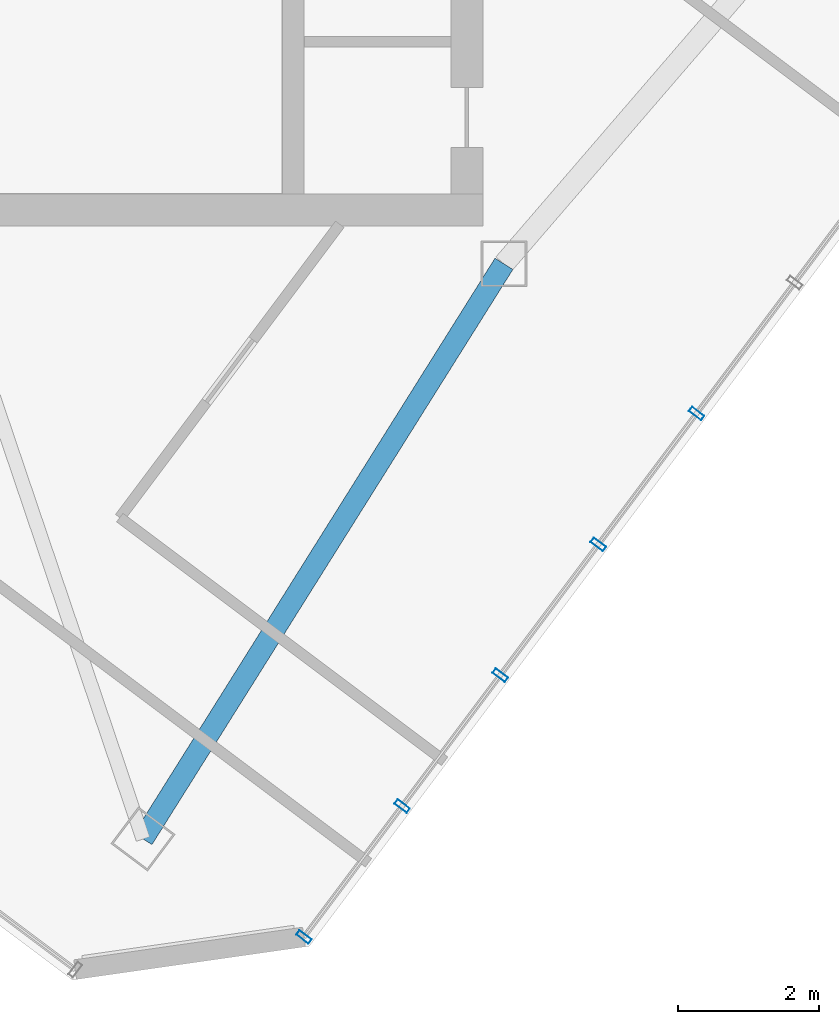
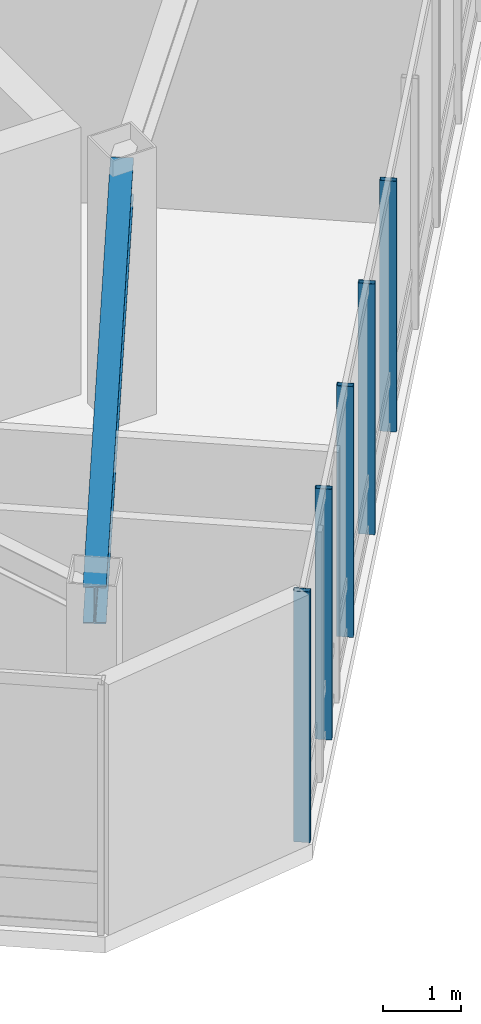
# One storey, part 9 of 22: 5 members, 1 beam, 1 element without a shape of its own.
"""IFC4 building model written with IfcOpenShell, lengths in metres."""

from ifc_helpers import new_model, si_unit, direction, frame, origin, origin_2d, place, context, subcontext, project, spatial, hollow_rectangle, i_section, extrude, material, layer, layer_set, material_profile, profile_set, type_object, element, aggregate, save


model = new_model("IFC4")

# Units and contexts
model_context = context("Model", 3, precision=1e-05, world=origin(), true_north=direction((0.0, 1.0)))
body_context = subcontext(model_context, "Body", "Model", "MODEL_VIEW")
ifc_project = project(units=[si_unit("LENGTHUNIT", "METRE"), si_unit("AREAUNIT", "SQUARE_METRE"), si_unit("VOLUMEUNIT", "CUBIC_METRE"), si_unit("PLANEANGLEUNIT", "RADIAN"), si_unit("MASSUNIT", "GRAM", prefix="KILO")], contexts=[model_context])

# Site, building, storey
site_placement = place(None, origin())
site = spatial("IfcSite", under=ifc_project, at=site_placement, CompositionType="ELEMENT")
building_placement = place(site_placement, origin())
building = spatial("IfcBuilding", under=site, at=building_placement, Name="Hatsunagi Terrace Concourse", CompositionType="ELEMENT")
storey_placement = place(building_placement, frame((0.0, 0.0, 261.75)))
storey = spatial("IfcBuildingStorey", under=building, at=storey_placement, Name="L69", CompositionType="ELEMENT", Elevation=261.75)

# Curtain wall, members
ifc_material_1 = material(Name="Anodised Aluminium Alloy 6063-T5", Category="aluminium")
ifc_layer = layer(ifc_material_1, 0.199951171875)
ifc_layer_set = layer_set([ifc_layer], Name="SkyLobbyAtrium_CW05")
curtain_wall_type = type_object("IfcCurtainWallType", Name="SkyLobbyAtrium_CW05", PredefinedType="NOTDEFINED", material=ifc_layer_set)
curtain_wall_placement = place(storey_placement, origin())
curtain_wall = element("IfcCurtainWall", 1, at=curtain_wall_placement, inside=storey, type_object=curtain_wall_type, Name="Unitised Curtain Wall CW-05 CW-L69-08", PredefinedType="NOTDEFINED")
ifc_material_2 = material(Name="Anodised Aluminium Alloy 6063-T5", Category="aluminium")
ifc_material_profile_1 = material_profile(ifc_material_2, hollow_rectangle(XDim=0.080078125, YDim=0.219970703125, WallThickness=0.0048828125, at=origin_2d()), Name="ALU-MUL-220x80x5")
ifc_profile_set_1 = profile_set([ifc_material_profile_1], Name="Anodised Aluminium Alloy 6063-T5")
member_type = type_object("IfcMemberType", Name="CurtainWallMullion_Heavy_220x80", PredefinedType="MULLION", material=ifc_profile_set_1)
member_1_placement = place(storey_placement, frame((46.531982421875, 22.075927734375, 0.0), z_axis=(0.0, 0.0, 1.0), x_axis=(-0.599969314634, -0.800023013105, 0.0)))
member_1 = element("IfcMember", 2, at=member_1_placement, type_object=member_type, Name="Curtain Wall Mullion MUL-01", PredefinedType="MULLION", context=body_context, shape_type="SweptSolid", body=[
    extrude(hollow_rectangle(XDim=0.080078125, YDim=0.219970703125, WallThickness=0.0048828125, at=origin_2d()), origin(), (0.0, 0.0, 1.0), 3.93994140625),
])
member_2_placement = place(storey_placement, frame((45.139892578125, 20.218994140625, 0.0), z_axis=(0.0, 0.0, 1.0), x_axis=(-0.599969314634, -0.800023013105, 0.0)))
member_2 = element("IfcMember", 3, at=member_2_placement, type_object=member_type, Name="Curtain Wall Mullion MUL-01", PredefinedType="MULLION", context=body_context, shape_type="SweptSolid", body=[
    extrude(hollow_rectangle(XDim=0.080078125, YDim=0.219970703125, WallThickness=0.0048828125, at=origin_2d()), origin(), (0.0, 0.0, 1.0), 3.93994140625),
])
member_3_placement = place(storey_placement, frame((43.7470703125, 18.363037109375, 0.0), z_axis=(0.0, 0.0, 1.0), x_axis=(-0.599969314634, -0.800023013105, 0.0)))
member_3 = element("IfcMember", 4, at=member_3_placement, type_object=member_type, Name="Curtain Wall Mullion MUL-01", PredefinedType="MULLION", context=body_context, shape_type="SweptSolid", body=[
    extrude(hollow_rectangle(XDim=0.080078125, YDim=0.219970703125, WallThickness=0.0048828125, at=origin_2d()), origin(), (0.0, 0.0, 1.0), 3.93994140625),
])
member_4_placement = place(storey_placement, frame((42.35498046875, 16.506103515625, 0.0), z_axis=(0.0, 0.0, 1.0), x_axis=(-0.599969314634, -0.800023013105, 0.0)))
member_4 = element("IfcMember", 5, at=member_4_placement, type_object=member_type, Name="Curtain Wall Mullion MUL-01", PredefinedType="MULLION", context=body_context, shape_type="SweptSolid", body=[
    extrude(hollow_rectangle(XDim=0.080078125, YDim=0.219970703125, WallThickness=0.0048828125, at=origin_2d()), origin(), (0.0, 0.0, 1.0), 3.93994140625),
])
member_5_placement = place(storey_placement, frame((40.962890625, 14.64990234375, 0.0), z_axis=(0.0, 0.0, 1.0), x_axis=(-0.599969314634, -0.800023013105, 0.0)))
member_5 = element("IfcMember", 6, at=member_5_placement, type_object=member_type, Name="Curtain Wall Mullion MUL-01", PredefinedType="MULLION", context=body_context, shape_type="SweptSolid", body=[
    extrude(hollow_rectangle(XDim=0.080078125, YDim=0.219970703125, WallThickness=0.0048828125, at=origin_2d()), origin(), (0.0, 0.0, 1.0), 3.93994140625),
])
aggregate(curtain_wall, [member_1, member_2, member_3, member_4, member_5])

# Beam
ifc_material_3 = material(Name="Steel SN490B", Category="steel")
ifc_material_profile_2 = material_profile(ifc_material_3, i_section(OverallWidth=0.300048828125, OverallDepth=0.587890625, WebThickness=0.011962890625, FlangeThickness=0.02001953125, FilletRadius=0.01806640625, at=origin_2d()), Name="H-588x300x12x20")
ifc_profile_set_2 = profile_set([ifc_material_profile_2], Name="Steel SN490B")
beam_type = type_object("IfcBeamType", Name="OfficeHighGirder_H_588x300", PredefinedType="BEAM", material=ifc_profile_set_2)
beam_placement = place(storey_placement, frame((38.679931640625, 16.0400390625, 3.656005859375), z_axis=(0.531503907049, 0.847055840421, 0.0), x_axis=(-0.847055840421, 0.531503907049, 0.0)))
element("IfcBeam", 7, at=beam_placement, inside=storey, type_object=beam_type, Name="Beam G-06 BM-L69-SET-1A", PredefinedType="BEAM", context=body_context, shape_type="SweptSolid", body=[
    extrude(i_section(OverallWidth=0.300048828125, OverallDepth=0.587890625, WebThickness=0.011962890625, FlangeThickness=0.02001953125, FilletRadius=0.01806640625, at=origin_2d()), origin(), (0.0, 0.0, 1.0), 9.63330078125),
])

save(model, "model.ifc")
